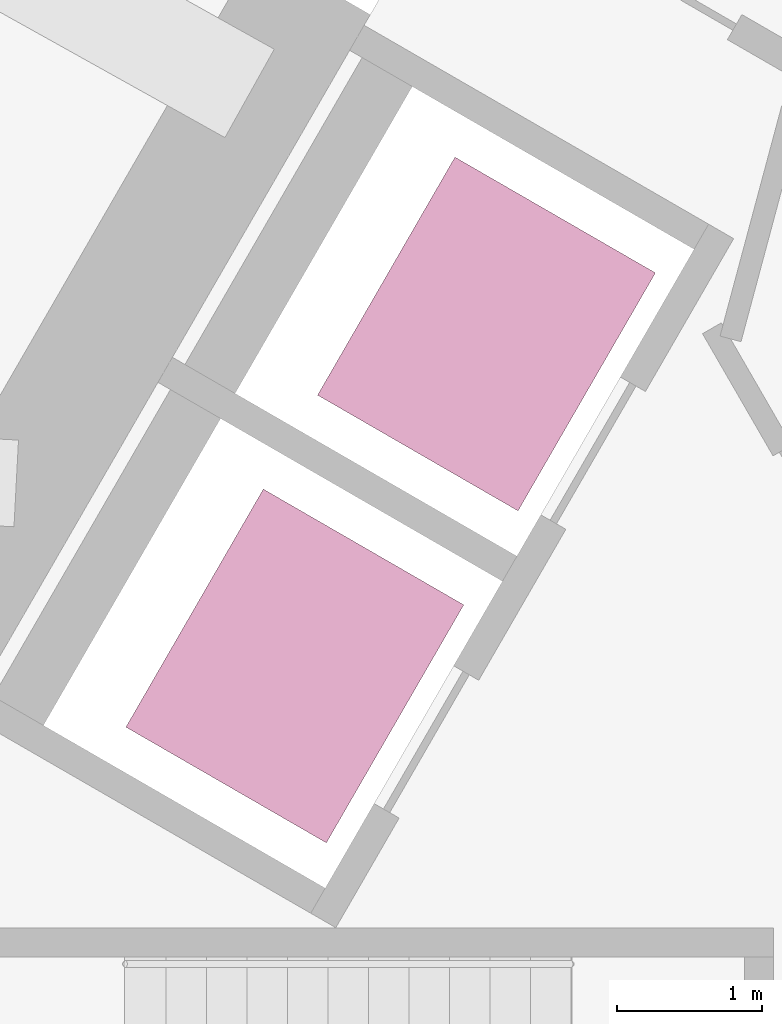
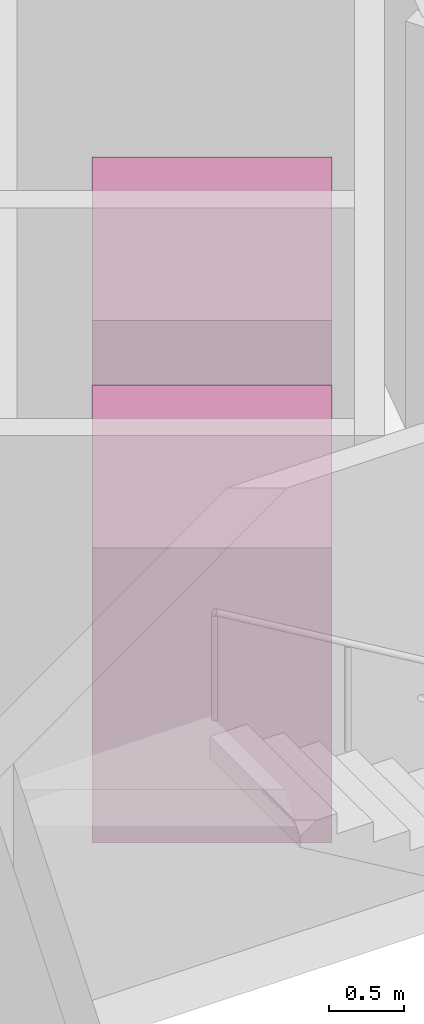
# One storey, part 18 of 18: 2 transport elements.
"""IFC4 building model written with IfcOpenShell, lengths in metres."""

from ifc_helpers import new_model, si_unit, direction, frame, origin, origin_2d, place, context, subcontext, project, spatial, rectangle, extrude, material, type_object, element, save


model = new_model("IFC4")

# Units and contexts
model_context = context("Model", 3, precision=1e-05, world=origin(), true_north=direction((0.0, 1.0)))
body_context = subcontext(model_context, "Body", "Model", "MODEL_VIEW")
ifc_project = project(units=[si_unit("LENGTHUNIT", "METRE"), si_unit("AREAUNIT", "SQUARE_METRE"), si_unit("VOLUMEUNIT", "CUBIC_METRE"), si_unit("PLANEANGLEUNIT", "RADIAN"), si_unit("MASSUNIT", "GRAM", prefix="KILO")], contexts=[model_context])

# Site, building, storey
site_placement = place(None, origin())
site = spatial("IfcSite", under=ifc_project, at=site_placement, CompositionType="ELEMENT")
building_placement = place(site_placement, origin())
building = spatial("IfcBuilding", under=site, at=building_placement, Name="Tramontana Tower", CompositionType="ELEMENT")
storey_placement = place(building_placement, frame((0.0, 0.0, 125.60009765625)))
storey = spatial("IfcBuildingStorey", under=building, at=storey_placement, Name="L28", CompositionType="ELEMENT", Elevation=125.60009765625)

# Transport elements
ifc_material = material(Name="LIFT PASSENGER 1275 1900X1600")
transport_element_type = type_object("IfcTransportElementType", Name="LIFT PASSENGER 1275 1900X1600", PredefinedType="ELEVATOR", material=ifc_material)
for number, where, z_axis, x_axis, name in (
    (1, (-3.864990234375, 1.40576171875, 0.0), (0.0, 0.0, 1.0), (-0.5, -0.866025403784, 0.0), "Lift LM1"),
    (2, (-5.18994140625, -0.88916015625, 0.0), (0.0, 0.0, 1.0), (-0.5, -0.866025403784, 0.0), "Lift LM2"),
):
    element("IfcTransportElement", number, at=place(storey_placement, frame(where, z_axis=z_axis, x_axis=x_axis)), inside=storey, type_object=transport_element_type, Name=name, PredefinedType="ELEVATOR", context=body_context, shape_type="SweptSolid", body=[
        extrude(rectangle(XDim=1.89990234375, YDim=1.60009765625, at=origin_2d()), origin(), (0.0, 0.0, 1.0), 2.39990234375),
    ])

save(model, "model.ifc")
